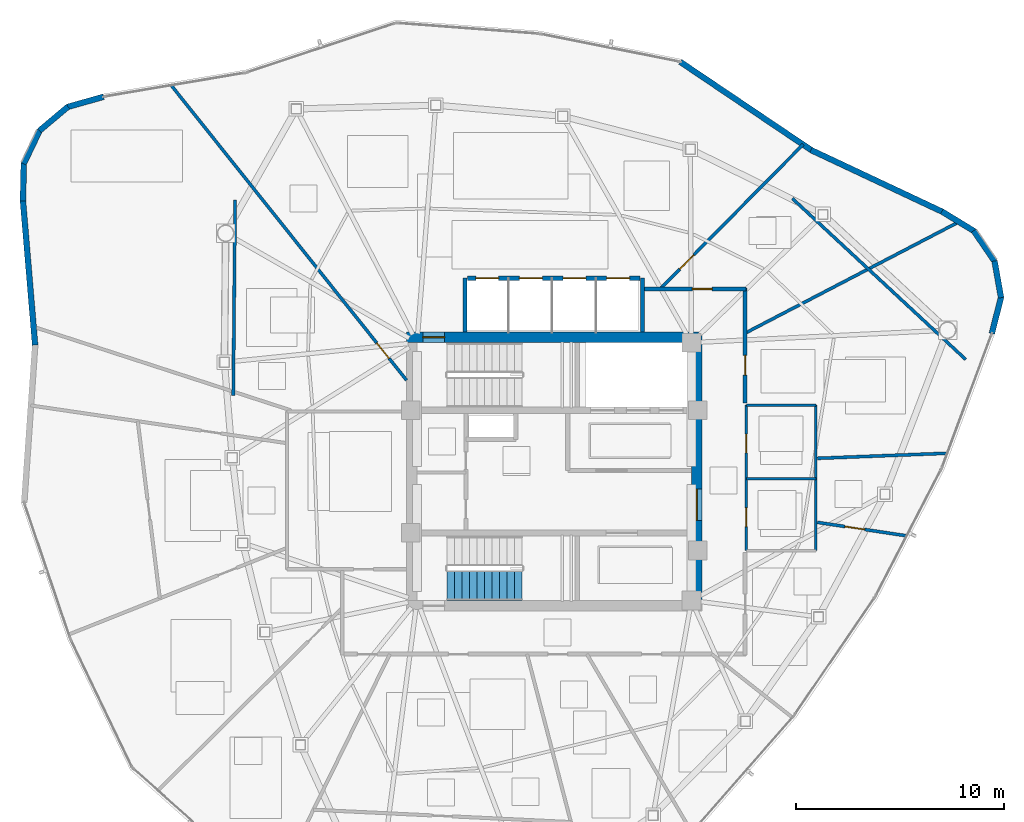
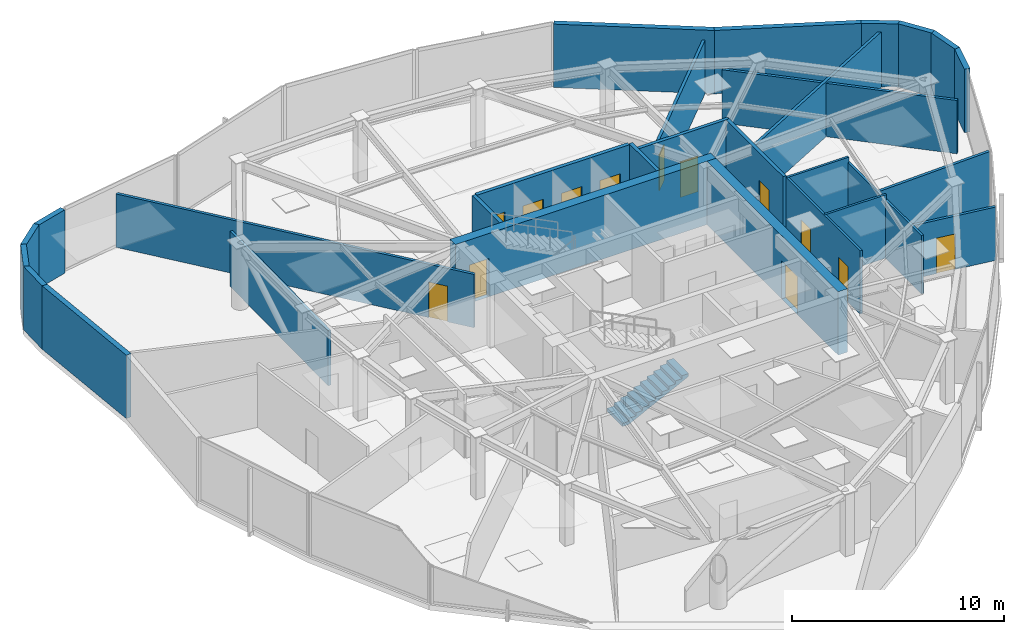
# One storey, part 9 of 13: 29 walls, 13 doors, 1 stair flight, 13 openings, 1 element without a shape of its own.
"""IFC4 building model written with IfcOpenShell, lengths in metres."""

import ifcopenshell
import ifcopenshell.guid

model = None  # the IFC model being written
_history = None  # IfcOwnerHistory: only IFC2X3 demands one
_inside = {}  # id of a spatial element -> (the spatial element, [elements in it])
_under = {}  # id of a project, library or spatial element -> (it, [spatial elements below it])
_declared = {}  # id of a project -> (the project, [libraries it declares])
_typed = {}  # id of a type object -> (the type object, [elements of that type])
_made_of = {}  # id of a material, layer set ... -> (it, [elements and type objects made of it])


def new_model(schema):
    """Start an empty IFC model of exactly this schema.

    Asked for "IFC4X3", IfcOpenShell would pick the latest addendum, in which some entities
    have other attributes; the version numbers below select the first issue.
    IFC2X3 requires an IfcOwnerHistory on every rooted entity: one is made here for all.
    """
    global model, _history
    if schema == "IFC4X3":
        model = ifcopenshell.file(schema_version=(4, 3, 0, 0))
    else:
        model = ifcopenshell.file(schema=schema)
    _inside.clear()
    _under.clear()
    _declared.clear()
    _typed.clear()
    _made_of.clear()
    _history = None
    if model.schema == "IFC2X3":
        org = make("IfcOrganization", Name="unknown")
        user = make(
            "IfcPersonAndOrganization",
            ThePerson=make("IfcPerson", FamilyName="unknown"),
            TheOrganization=org,
        )
        app = make(
            "IfcApplication",
            ApplicationDeveloper=org,
            Version="unknown",
            ApplicationFullName="unknown",
            ApplicationIdentifier="unknown",
        )
        _history = make(
            "IfcOwnerHistory",
            OwningUser=user,
            OwningApplication=app,
            ChangeAction="ADDED",
            CreationDate=0,
        )
    return model


def make(cls, **values):
    """One entity of the class cls with the attributes given. An attribute that is None is left unset."""
    return model.create_entity(
        cls, **{name: value for name, value in values.items() if value is not None}
    )


def rooted(cls, **values):
    """An entity with a GlobalId (a new one), such as an element, a storey or a relation."""
    return make(cls, GlobalId=ifcopenshell.guid.new(), OwnerHistory=_history, **values)


def si_unit(unit_type, name, prefix=None):
    """IfcSIUnit, for example si_unit("LENGTHUNIT", "METRE", prefix="MILLI")."""
    return make("IfcSIUnit", UnitType=unit_type, Prefix=prefix, Name=name)


def assignment(units):
    """IfcUnitAssignment: the units of a project."""
    return None if units is None else make("IfcUnitAssignment", Units=units)


def point(xyz):
    """IfcCartesianPoint."""
    return None if xyz is None else make("IfcCartesianPoint", Coordinates=xyz)


def direction(xyz):
    """IfcDirection."""
    return None if xyz is None else make("IfcDirection", DirectionRatios=xyz)


def frame(location, z_axis=None, x_axis=None):
    """IfcAxis2Placement3D, a coordinate frame: its origin and axes. An axis left out is left unset."""
    return make(
        "IfcAxis2Placement3D",
        Location=point(location),
        Axis=direction(z_axis),
        RefDirection=direction(x_axis),
    )


def frame_2d(location, x_axis=None):
    """IfcAxis2Placement2D, a coordinate frame in the plane: its origin and x axis."""
    return make(
        "IfcAxis2Placement2D", Location=point(location), RefDirection=direction(x_axis)
    )


def origin():
    """The frame at (0, 0, 0) with its axes left unset."""
    return frame((0.0, 0.0, 0.0))


def place(relative_to, where):
    """IfcLocalPlacement: puts the frame where relative to a parent placement (None: the world)."""
    return make(
        "IfcLocalPlacement", PlacementRelTo=relative_to, RelativePlacement=where
    )


def context(
    kind, dimensions, precision=None, world=None, true_north=None, identifier=None
):
    """IfcGeometricRepresentationContext, for example the 3D "Model" context."""
    return make(
        "IfcGeometricRepresentationContext",
        ContextIdentifier=identifier,
        ContextType=kind,
        CoordinateSpaceDimension=dimensions,
        Precision=precision,
        WorldCoordinateSystem=world,
        TrueNorth=true_north,
    )


def subcontext(parent, identifier, kind, view, scale=None):
    """IfcGeometricRepresentationSubContext, for example "Body" below "Model"."""
    return make(
        "IfcGeometricRepresentationSubContext",
        ContextIdentifier=identifier,
        ContextType=kind,
        ParentContext=parent,
        TargetScale=scale,
        TargetView=view,
    )


def project(units=None, contexts=None):
    """IfcProject with its units and contexts."""
    return rooted(
        "IfcProject",
        Name="project",
        RepresentationContexts=contexts,
        UnitsInContext=assignment(units),
    )


def spatial(cls, under=None, at=None, **own):
    """A site, building, storey or space (cls), placed at a placement, below another one or the project."""
    s = rooted(cls, ObjectPlacement=at, **own)
    if under is not None:
        _under.setdefault(under.id(), (under, []))[1].append(s)
    return s


def polyline(points):
    """IfcPolyline through the points."""
    return make("IfcPolyline", Points=[point(p) for p in points])


def profile(cls, at=None, kind="AREA", **sizes):
    """A parametric profile (cls). Its sizes go by their IFC names, for example OverallWidth=200.0."""
    return make(cls, ProfileType=kind, Position=at, **sizes)


def rectangle(**sizes):
    """IfcRectangleProfileDef."""
    return profile("IfcRectangleProfileDef", **sizes)


def outline(outer, holes=None, kind="AREA"):
    """IfcArbitraryClosedProfileDef: a profile drawn as a closed curve; with holes, ...WithVoids."""
    if holes is None:
        return make("IfcArbitraryClosedProfileDef", ProfileType=kind, OuterCurve=outer)
    return make(
        "IfcArbitraryProfileDefWithVoids",
        ProfileType=kind,
        OuterCurve=outer,
        InnerCurves=holes,
    )


def extrude(swept, where, along, depth):
    """IfcExtrudedAreaSolid: the profile swept, set in the frame where, extruded along a direction by depth."""
    return make(
        "IfcExtrudedAreaSolid",
        SweptArea=swept,
        Position=where,
        ExtrudedDirection=direction(along),
        Depth=depth,
    )


def shape(context_of_items, identifier, shape_type, items):
    """IfcShapeRepresentation: the items that make up one representation, for example the "Body"."""
    return make(
        "IfcShapeRepresentation",
        ContextOfItems=context_of_items,
        RepresentationIdentifier=identifier,
        RepresentationType=shape_type,
        Items=items,
    )


def material(Name=None, Category=None):
    """IfcMaterial."""
    return make("IfcMaterial", Name=Name, Category=Category)


def layer(
    of_material, thickness, ventilated=None, Name=None, Category=None, Priority=None
):
    """IfcMaterialLayer: one layer of a wall or slab, of a material (None: an air gap)."""
    return make(
        "IfcMaterialLayer",
        Material=of_material,
        LayerThickness=thickness,
        IsVentilated=ventilated,
        Name=Name,
        Category=Category,
        Priority=Priority,
    )


def layer_set(layers, Name=None):
    """IfcMaterialLayerSet."""
    return make("IfcMaterialLayerSet", MaterialLayers=layers, LayerSetName=Name)


def made_of(thing, what):
    """Note that an element or type object is made of a material, layer set ...; save() writes the relation."""
    if what is not None:
        _made_of.setdefault(what.id(), (what, []))[1].append(thing)
    return thing


def type_object(cls, material=None, **own):
    """A type object (cls), such as IfcWallType, which elements share."""
    return made_of(rooted(cls, **own), material)


def element(
    cls,
    number,
    at=None,
    inside=None,
    cuts=None,
    type_object=None,
    material=None,
    context=None,
    identifier="Body",
    shape_type=None,
    held_by="IfcProductDefinitionShape",
    body=None,
    shapes=None,
    **own,
):
    """One element of the class cls, such as IfcWall. Its Tag is "e" and its number.

    at: its placement. inside: the storey or other place that contains it. cuts: it is an
    opening in that element (IfcRelVoidsElement). A single representation is given by context,
    identifier, shape_type and body (its items); several are given by shapes. held_by: the class
    of the entity that holds the representations. save() writes the other relations.
    """
    e = rooted(cls, Tag="e%d" % number, ObjectPlacement=at, **own)
    if body is not None:
        shapes = [shape(context, identifier, shape_type, body)]
    if shapes is not None:
        e.Representation = make(held_by, Representations=shapes)
    if inside is not None:
        _inside.setdefault(inside.id(), (inside, []))[1].append(e)
    if cuts is not None:
        rooted(
            "IfcRelVoidsElement", RelatingBuildingElement=cuts, RelatedOpeningElement=e
        )
    if type_object is not None:
        _typed.setdefault(type_object.id(), (type_object, []))[1].append(e)
    return made_of(e, material)


def fill(opening, filler):
    """IfcRelFillsElement: the door or window that sits in an opening."""
    return rooted(
        "IfcRelFillsElement",
        RelatingOpeningElement=opening,
        RelatedBuildingElement=filler,
    )


def aggregate(whole, parts):
    """IfcRelAggregates: a whole, such as a stair, and the parts it consists of."""
    return rooted("IfcRelAggregates", RelatingObject=whole, RelatedObjects=parts)


def save(model, path):
    """Write the relations noted so far, then the file.

    IfcRelAggregates (storeys below a building ...), IfcRelContainedInSpatialStructure (elements
    in a storey), IfcRelDefinesByType, IfcRelAssociatesMaterial and IfcRelDeclares: one each for
    every whole, place, type object, material and project.
    """
    for whole, parts in _under.values():
        aggregate(whole, parts)
    for where, things in _inside.values():
        rooted(
            "IfcRelContainedInSpatialStructure",
            RelatedElements=things,
            RelatingStructure=where,
        )
    for kind, things in _typed.values():
        rooted("IfcRelDefinesByType", RelatedObjects=things, RelatingType=kind)
    for what, things in _made_of.values():
        rooted("IfcRelAssociatesMaterial", RelatedObjects=things, RelatingMaterial=what)
    for by, libraries in _declared.values():
        rooted("IfcRelDeclares", RelatingContext=by, RelatedDefinitions=libraries)
    model.write(path)


model = new_model("IFC4")

# Units and contexts
model_context = context("Model", 3, precision=1e-05, world=origin(), true_north=direction((0.0, 1.0)))
body_context = subcontext(model_context, "Body", "Model", "MODEL_VIEW")
ifc_project = project(units=[si_unit("LENGTHUNIT", "METRE"), si_unit("AREAUNIT", "SQUARE_METRE"), si_unit("VOLUMEUNIT", "CUBIC_METRE"), si_unit("PLANEANGLEUNIT", "RADIAN"), si_unit("MASSUNIT", "GRAM", prefix="KILO")], contexts=[model_context])

# Site, building, storey
site_placement = place(None, origin())
site = spatial("IfcSite", under=ifc_project, at=site_placement, CompositionType="ELEMENT")
building_placement = place(site_placement, origin())
building = spatial("IfcBuilding", under=site, at=building_placement, Name="Tavelor Broadcast Tower", CompositionType="ELEMENT")
storey_placement = place(building_placement, frame((0.0, 0.0, 261.64990234375)))
storey = spatial("IfcBuildingStorey", under=building, at=storey_placement, Name="L62", CompositionType="ELEMENT", Elevation=261.64990234375)

# Wall, opening, door
ifc_material_1 = material(Name="Concrete C50/60", Category="concrete")
ifc_layer_1 = layer(ifc_material_1, 0.5)
ifc_layer_set_1 = layer_set([ifc_layer_1], Name="Concrete C50/60")
wall_type_1 = type_object("IfcWallType", Name="Core Shear Wall 500 mm", PredefinedType="SHEAR", material=ifc_layer_set_1)
wall_1_placement = place(storey_placement, frame((42.89990234375, 51.449951171875, 0.0), z_axis=(0.0, 0.0, 1.0), x_axis=(1.0, 0.0, 0.0)))
wall_1 = element("IfcWall", 1, at=wall_1_placement, inside=storey, type_object=wall_type_1, Name="L62 Central Core Shear Wall N", PredefinedType="SHEAR", context=body_context, shape_type="SweptSolid", body=[
    extrude(rectangle(XDim=14.2001953125, YDim=0.5, at=frame_2d((7.10009765625, 0.0))), origin(), (0.0, 0.0, 1.0), 3.650146484375),
])
opening_1_placement = place(wall_1_placement, frame((0.780029296875, 0.0, 0.0)))
opening_1 = element("IfcOpeningElement", 2, at=opening_1_placement, cuts=wall_1, Name="Opening DR11", PredefinedType="OPENING", context=body_context, shape_type="SweptSolid", body=[
    extrude(rectangle(XDim=1.050048828125, YDim=2.199951171875, at=frame_2d((0.52490234375, 1.10009765625))), frame((0.0, 0.260009765625, 0.0), z_axis=(0.0, -1.0, 0.0), x_axis=(1.0, 0.0, 0.0)), (0.0, 0.0, 1.0), 0.52001953125),
])
ifc_material_2 = material(Name="Steel S355", Category="steel")
door_type_1 = type_object("IfcDoorType", Name="Stair Core Fire Escape Door 1050x2200", OperationType="NOTDEFINED", PredefinedType="DOOR", material=ifc_material_2)
door_1_placement = place(opening_1_placement, origin())
door_1 = element("IfcDoor", 3, at=door_1_placement, inside=storey, type_object=door_type_1, Name="L62 Stair ST1 Protected Exit Door", OperationType="SINGLE_SWING_LEFT", OverallHeight=2.199951171875, OverallWidth=1.050048828125, PredefinedType="DOOR", context=body_context, shape_type="SweptSolid", body=[
    extrude(rectangle(XDim=1.050048828125, YDim=2.199951171875, at=frame_2d((0.52490234375, 1.10009765625))), frame((0.0, 0.02490234375, 0.0), z_axis=(0.0, -1.0, 0.0), x_axis=(1.0, 0.0, 0.0)), (0.0, 0.0, 1.0), 0.050048828125),
])
fill(opening_1, door_1)

wall_2_placement = place(storey_placement, frame((56.85009765625, 38.800048828125, 0.0), z_axis=(0.0, 0.0, 1.0), x_axis=(0.0, 1.0, 0.0)))
wall_2 = element("IfcWall", 4, at=wall_2_placement, inside=storey, type_object=wall_type_1, Name="L62 Central Core Shear Wall E", PredefinedType="SHEAR", context=body_context, shape_type="SweptSolid", body=[
    extrude(rectangle(XDim=12.39990234375, YDim=0.5, at=frame_2d((6.199951171875, 0.0))), origin(), (0.0, 0.0, 1.0), 3.650146484375),
])
opening_2_placement = place(wall_2_placement, frame((3.85009765625, 0.0, 0.0)))
opening_2 = element("IfcOpeningElement", 5, at=opening_2_placement, cuts=wall_2, Name="Opening DR14", PredefinedType="OPENING", context=body_context, shape_type="SweptSolid", body=[
    extrude(rectangle(XDim=1.5, YDim=2.199951171875, at=frame_2d((0.75, 1.10009765625))), frame((0.0, 0.260009765625, 0.0), z_axis=(0.0, -1.0, 0.0), x_axis=(1.0, 0.0, 0.0)), (0.0, 0.0, 1.0), 0.52001953125),
])
door_type_2 = type_object("IfcDoorType", Name="Firefighting Lobby Double Fire Door 1500x2200", OperationType="NOTDEFINED", PredefinedType="DOOR", material=ifc_material_2)
door_2_placement = place(opening_2_placement, origin())
door_2 = element("IfcDoor", 6, at=door_2_placement, inside=storey, type_object=door_type_2, Name="L62 Central Core Lobby Fire Door", OperationType="SINGLE_SWING_RIGHT", OverallHeight=2.199951171875, OverallWidth=1.5, PredefinedType="DOOR", context=body_context, shape_type="SweptSolid", body=[
    extrude(rectangle(XDim=1.5, YDim=2.199951171875, at=frame_2d((0.75, 1.10009765625))), frame((0.0, 0.02490234375, 0.0), z_axis=(0.0, -1.0, 0.0), x_axis=(1.0, 0.0, 0.0)), (0.0, 0.0, 1.0), 0.050048828125),
])
fill(opening_2, door_2)

ifc_material_3 = material(Name="Calcium Silicate Fire Board 180 mm", Category="gypsum")
ifc_layer_2 = layer(ifc_material_3, 0.179931640625)
ifc_layer_set_2 = layer_set([ifc_layer_2], Name="Calcium Silicate Fire Board 180 mm")
wall_type_2 = type_object("IfcWallType", Name="Fire-Rated Corridor Partition Wall 180 mm", PredefinedType="PARTITIONING", material=ifc_layer_set_2)
wall_3_placement = place(storey_placement, frame((54.300048828125, 53.780029296875, 0.0), z_axis=(0.0, 0.0, 1.0), x_axis=(1.0, 0.0, 0.0)))
wall_3 = element("IfcWall", 7, at=wall_3_placement, inside=storey, type_object=wall_type_2, Name="L62 Corridor Compartment Wall 01", PredefinedType="PARTITIONING", context=body_context, shape_type="SweptSolid", body=[
    extrude(rectangle(XDim=4.929931640625, YDim=0.179931640625, at=frame_2d((2.46484375, 0.0))), origin(), (0.0, 0.0, 1.0), 3.650146484375),
])
opening_3_placement = place(wall_3_placement, frame((2.3388671875, 0.0, 0.0)))
opening_3 = element("IfcOpeningElement", 8, at=opening_3_placement, cuts=wall_3, Name="Opening DR18", PredefinedType="OPENING", context=body_context, shape_type="SweptSolid", body=[
    extrude(rectangle(XDim=0.949951171875, YDim=2.050048828125, at=frame_2d((0.47509765625, 1.02490234375))), frame((0.0, 0.10009765625, 0.0), z_axis=(0.0, -1.0, 0.0), x_axis=(1.0, 0.0, 0.0)), (0.0, 0.0, 1.0), 0.199951171875),
])
ifc_material_4 = material(Name="Timber Solid Core Hardwood", Category="wood")
door_type_3 = type_object("IfcDoorType", Name="Corridor Rated Compartment Door 950x2050", OperationType="NOTDEFINED", PredefinedType="DOOR", material=ifc_material_4)
door_3_placement = place(opening_3_placement, origin())
door_3 = element("IfcDoor", 9, at=door_3_placement, inside=storey, type_object=door_type_3, Name="L62 Catering Server Pantry Door R11", OperationType="SINGLE_SWING_RIGHT", OverallHeight=2.050048828125, OverallWidth=0.949951171875, PredefinedType="DOOR", context=body_context, shape_type="SweptSolid", body=[
    extrude(rectangle(XDim=0.949951171875, YDim=2.050048828125, at=frame_2d((0.47509765625, 1.02490234375))), frame((0.0, 0.02490234375, 0.0), z_axis=(0.0, -1.0, 0.0), x_axis=(1.0, 0.0, 0.0)), (0.0, 0.0, 1.0), 0.050048828125),
])
fill(opening_3, door_3)

wall_4_placement = place(storey_placement, frame((59.179931640625, 53.830078125, 0.0), z_axis=(0.0, 0.0, 1.0), x_axis=(0.0, -1.0, 0.0)))
wall_4 = element("IfcWall", 10, at=wall_4_placement, inside=storey, type_object=wall_type_2, Name="L62 Corridor Compartment Wall 02", PredefinedType="PARTITIONING", context=body_context, shape_type="SweptSolid", body=[
    extrude(rectangle(XDim=5.530029296875, YDim=0.179931640625, at=frame_2d((2.76513671875, 0.0))), origin(), (0.0, 0.0, 1.0), 3.650146484375),
])
opening_4_placement = place(wall_4_placement, frame((3.237548828125, 0.0, 0.0)))
opening_4 = element("IfcOpeningElement", 11, at=opening_4_placement, cuts=wall_4, Name="Opening DR18", PredefinedType="OPENING", context=body_context, shape_type="SweptSolid", body=[
    extrude(rectangle(XDim=0.949951171875, YDim=2.050048828125, at=frame_2d((0.47509765625, 1.02490234375))), frame((0.0, 0.10009765625, 0.0), z_axis=(0.0, -1.0, 0.0), x_axis=(1.0, 0.0, 0.0)), (0.0, 0.0, 1.0), 0.199951171875),
])
door_4_placement = place(opening_4_placement, origin())
door_4 = element("IfcDoor", 12, at=door_4_placement, inside=storey, type_object=door_type_3, Name="L62 Press Concierge Desk Door R12", OperationType="SINGLE_SWING_LEFT", OverallHeight=2.050048828125, OverallWidth=0.949951171875, PredefinedType="DOOR", context=body_context, shape_type="SweptSolid", body=[
    extrude(rectangle(XDim=0.949951171875, YDim=2.050048828125, at=frame_2d((0.47509765625, 1.02490234375))), frame((0.0, 0.02490234375, 0.0), z_axis=(0.0, -1.0, 0.0), x_axis=(1.0, 0.0, 0.0)), (0.0, 0.0, 1.0), 0.050048828125),
])
fill(opening_4, door_4)

# Walls
ifc_material_5 = material(Name="Precast Concrete C40/50", Category="concrete")
ifc_layer_3 = layer(ifc_material_5, 0.280029296875)
ifc_layer_set_3 = layer_set([ifc_layer_3], Name="Precast Concrete C40/50")
wall_type_3 = type_object("IfcWallType", Name="Insulated Precast Terracotta Facade Wall 280 mm", PredefinedType="STANDARD", material=ifc_layer_set_3)
wall_5_placement = place(storey_placement, frame((28.32861328125, 63.0263671875, 0.0), z_axis=(0.0, 0.0, 1.0), x_axis=(-0.962471391601, -0.271383161506, 0.0)))
element("IfcWall", 13, at=wall_5_placement, inside=storey, type_object=wall_type_3, Name="L62 Rounded Corner Structural Cladding Pier 01", PredefinedType="STANDARD", context=body_context, shape_type="SweptSolid", body=[
    extrude(rectangle(XDim=1.807373046875, YDim=0.280029296875, at=frame_2d((0.90380859375, 0.0))), origin(), (0.0, 0.0, 1.0), 3.650146484375),
])
wall_6_placement = place(storey_placement, frame((26.614990234375, 62.549560546875, 0.0), z_axis=(0.0, 0.0, 1.0), x_axis=(-0.765461031338, -0.643482252672, 0.0)))
element("IfcWall", 14, at=wall_6_placement, inside=storey, type_object=wall_type_3, Name="L62 Rounded Corner Structural Cladding Pier 02", PredefinedType="STANDARD", context=body_context, shape_type="SweptSolid", body=[
    extrude(rectangle(XDim=1.79541015625, YDim=0.280029296875, at=frame_2d((0.897705078125, 0.0))), origin(), (0.0, 0.0, 1.0), 3.650146484375),
])
wall_7_placement = place(storey_placement, frame((25.2587890625, 61.41748046875, 0.0), z_axis=(0.0, 0.0, 1.0), x_axis=(-0.432907864888, -0.901438173431, 0.0)))
element("IfcWall", 15, at=wall_7_placement, inside=storey, type_object=wall_type_3, Name="L62 Rounded Corner Structural Cladding Pier 03", PredefinedType="STANDARD", context=body_context, shape_type="SweptSolid", body=[
    extrude(rectangle(XDim=1.795654296875, YDim=0.280029296875, at=frame_2d((0.89794921875, 0.0))), origin(), (0.0, 0.0, 1.0), 3.650146484375),
])
wall_8_placement = place(storey_placement, frame((24.48828125, 59.827392578125, 0.0), z_axis=(0.0, 0.0, 1.0), x_axis=(-0.023502372608, -0.999723781092, 0.0)))
element("IfcWall", 16, at=wall_8_placement, inside=storey, type_object=wall_type_3, Name="L62 Rounded Corner Structural Cladding Pier 04", PredefinedType="STANDARD", context=body_context, shape_type="SweptSolid", body=[
    extrude(rectangle(XDim=1.81787109375, YDim=0.280029296875, at=frame_2d((0.908935546875, 0.0))), origin(), (0.0, 0.0, 1.0), 3.650146484375),
])
wall_9_placement = place(storey_placement, frame((24.444580078125, 58.039794921875, 0.0), z_axis=(0.0, 0.0, 1.0), x_axis=(0.084087104255, -0.996458408012, 0.0)))
element("IfcWall", 17, at=wall_9_placement, inside=storey, type_object=wall_type_3, Name="L62 Rounded Corner Structural Cladding Pier 05", PredefinedType="STANDARD", context=body_context, shape_type="SweptSolid", body=[
    extrude(rectangle(XDim=6.982666015625, YDim=0.280029296875, at=frame_2d((3.4912109375, 0.0))), origin(), (0.0, 0.0, 1.0), 3.650146484375),
])
wall_10_placement = place(storey_placement, frame((71.047119140625, 51.63720703125, 0.0), z_axis=(0.0, 0.0, 1.0), x_axis=(0.246157875262, 0.969229745956, 0.0)))
element("IfcWall", 18, at=wall_10_placement, inside=storey, type_object=wall_type_3, Name="L62 Rounded Corner Structural Cladding Pier 21", PredefinedType="STANDARD", context=body_context, shape_type="SweptSolid", body=[
    extrude(rectangle(XDim=1.80712890625, YDim=0.280029296875, at=frame_2d((0.903564453125, 0.0))), origin(), (0.0, 0.0, 1.0), 3.650146484375),
])
for number, where, z_axis, x_axis, name in (
    (19, (71.49072265625, 53.359375, 0.0), (0.0, 0.0, 1.0), (-0.174444594001, 0.984666991233, 0.0), "L62 Rounded Corner Structural Cladding Pier 22"),
    (20, (71.188720703125, 55.10009765625, 0.0), (0.0, 0.0, 1.0), (-0.564264652736, 0.825593969015, 0.0), "L62 Rounded Corner Structural Cladding Pier 23"),
):
    element("IfcWall", number, at=place(storey_placement, frame(where, z_axis=z_axis, x_axis=x_axis)), inside=storey, type_object=wall_type_3, Name=name, PredefinedType="STANDARD", context=body_context, shape_type="SweptSolid", body=[
        extrude(rectangle(XDim=1.795654296875, YDim=0.280029296875, at=frame_2d((0.89794921875, 0.0))), origin(), (0.0, 0.0, 1.0), 3.650146484375),
    ])
wall_11_placement = place(storey_placement, frame((70.19677734375, 56.562255859375, 0.0), z_axis=(0.0, 0.0, 1.0), x_axis=(-0.853978085487, 0.520308975041, 0.0)))
element("IfcWall", 21, at=wall_11_placement, inside=storey, type_object=wall_type_3, Name="L62 Rounded Corner Structural Cladding Pier 24", PredefinedType="STANDARD", context=body_context, shape_type="SweptSolid", body=[
    extrude(rectangle(XDim=1.818115234375, YDim=0.280029296875, at=frame_2d((0.9091796875, 0.0))), origin(), (0.0, 0.0, 1.0), 3.650146484375),
])
wall_12_placement = place(storey_placement, frame((68.67041015625, 57.493896484375, 0.0), z_axis=(0.0, 0.0, 1.0), x_axis=(-0.904983452417, 0.425446766179, 0.0)))
element("IfcWall", 22, at=wall_12_placement, inside=storey, type_object=wall_type_3, Name="L62 Rounded Corner Structural Cladding Pier 25", PredefinedType="STANDARD", context=body_context, shape_type="SweptSolid", body=[
    extrude(rectangle(XDim=6.982666015625, YDim=0.280029296875, at=frame_2d((3.4912109375, 0.0))), origin(), (0.0, 0.0, 1.0), 3.650146484375),
])
wall_13_placement = place(storey_placement, frame((62.377197265625, 60.44970703125, 0.0), z_axis=(0.0, 0.0, 1.0), x_axis=(-0.829407525921, 0.558644033304, 0.0)))
element("IfcWall", 23, at=wall_13_placement, inside=storey, type_object=wall_type_3, Name="L62 Rounded Corner Structural Cladding Pier 26", PredefinedType="STANDARD", context=body_context, shape_type="SweptSolid", body=[
    extrude(rectangle(XDim=7.616455078125, YDim=0.280029296875, at=frame_2d((3.80810546875, 0.0))), origin(), (0.0, 0.0, 1.0), 3.650146484375),
])
ifc_material_6 = material(Name="Gypsum Acoustic Plasterboard 150 mm", Category="gypsum")
ifc_layer_4 = layer(ifc_material_6, 0.14990234375)
ifc_layer_set_4 = layer_set([ifc_layer_4], Name="Gypsum Acoustic Plasterboard 150 mm")
wall_type_4 = type_object("IfcWallType", Name="Interior Acoustic Partition Wall 150 mm", PredefinedType="PARTITIONING", material=ifc_layer_set_4)
wall_14_placement = place(storey_placement, frame((34.651611328125, 58.0556640625, 0.0), z_axis=(0.0, 0.0, 1.0), x_axis=(-0.009553538759, -0.999954363907, 0.0)))
element("IfcWall", 24, at=wall_14_placement, inside=storey, type_object=wall_type_4, Name="L62 Corner Tube Brace Furring Wall 1", PredefinedType="PARTITIONING", context=body_context, shape_type="SweptSolid", body=[
    extrude(rectangle(XDim=9.404296875, YDim=0.14990234375, at=frame_2d((4.7021484375, 0.0))), origin(), (0.0, 0.0, 1.0), 3.175048828125),
])
wall_15_placement = place(storey_placement, frame((69.79248046875, 50.387939453125, 0.0), z_axis=(0.0, 0.0, 1.0), x_axis=(-0.732769799181, 0.680476613418, 0.0)))
element("IfcWall", 25, at=wall_15_placement, inside=storey, type_object=wall_type_4, Name="L62 Corner Tube Brace Furring Wall 3", PredefinedType="PARTITIONING", context=body_context, shape_type="SweptSolid", body=[
    extrude(rectangle(XDim=11.377685546875, YDim=0.14990234375, at=frame_2d((5.68896484375, 0.0))), origin(), (0.0, 0.0, 1.0), 3.0751953125),
])

# Wall, opening, door
wall_16_placement = place(storey_placement, frame((42.89990234375, 49.386474609375, 0.0), z_axis=(0.0, 0.0, 1.0), x_axis=(-0.623702774592, 0.781661594916, 0.0)))
wall_16 = element("IfcWall", 26, at=wall_16_placement, inside=storey, type_object=wall_type_4, Name="L62 Radial Compartment Wall 01", PredefinedType="PARTITIONING", context=body_context, shape_type="SweptSolid", body=[
    extrude(rectangle(XDim=18.162353515625, YDim=0.14990234375, at=frame_2d((9.0810546875, 0.0))), origin(), (0.0, 0.0, 1.0), 3.0751953125),
])
opening_5_placement = place(wall_16_placement, frame((1.35009765625, 0.0, 0.0)))
opening_5 = element("IfcOpeningElement", 27, at=opening_5_placement, cuts=wall_16, Name="Opening DR18", PredefinedType="OPENING", context=body_context, shape_type="SweptSolid", body=[
    extrude(rectangle(XDim=0.949951171875, YDim=2.050048828125, at=frame_2d((0.47509765625, 1.02490234375))), frame((0.0, 0.0849609375, 0.0), z_axis=(0.0, -1.0, 0.0), x_axis=(1.0, 0.0, 0.0)), (0.0, 0.0, 1.0), 0.169921875),
])
door_5_placement = place(opening_5_placement, origin())
door_5 = element("IfcDoor", 28, at=door_5_placement, inside=storey, type_object=door_type_3, Name="L62 Suite Connecting Door 9", OperationType="SINGLE_SWING_RIGHT", OverallHeight=2.050048828125, OverallWidth=0.949951171875, PredefinedType="DOOR", context=body_context, shape_type="SweptSolid", body=[
    extrude(rectangle(XDim=0.949951171875, YDim=2.050048828125, at=frame_2d((0.47509765625, 1.02490234375))), frame((0.0, 0.02490234375, 0.0), z_axis=(0.0, -1.0, 0.0), x_axis=(1.0, 0.0, 0.0)), (0.0, 0.0, 1.0), 0.050048828125),
])
fill(opening_5, door_5)

wall_17_placement = place(storey_placement, frame((62.64990234375, 42.555419921875, 0.0), z_axis=(0.0, 0.0, 1.0), x_axis=(0.988865221413, -0.148813890075, 0.0)))
wall_17 = element("IfcWall", 29, at=wall_17_placement, inside=storey, type_object=wall_type_4, Name="L62 Radial Compartment Wall 10", PredefinedType="PARTITIONING", context=body_context, shape_type="SweptSolid", body=[
    extrude(rectangle(XDim=4.3623046875, YDim=0.14990234375, at=frame_2d((2.18115234375, 0.0))), origin(), (0.0, 0.0, 1.0), 3.0751953125),
])
opening_6_placement = place(wall_17_placement, frame((1.35009765625, 0.0, 0.0)))
opening_6 = element("IfcOpeningElement", 30, at=opening_6_placement, cuts=wall_17, Name="Opening DR18", PredefinedType="OPENING", context=body_context, shape_type="SweptSolid", body=[
    extrude(rectangle(XDim=0.949951171875, YDim=2.050048828125, at=frame_2d((0.47509765625, 1.02490234375))), frame((0.0, 0.0849609375, 0.0), z_axis=(0.0, -1.0, 0.0), x_axis=(1.0, 0.0, 0.0)), (0.0, 0.0, 1.0), 0.169921875),
])
door_6_placement = place(opening_6_placement, origin())
door_6 = element("IfcDoor", 31, at=door_6_placement, inside=storey, type_object=door_type_3, Name="L62 Suite Connecting Door 0", OperationType="SINGLE_SWING_RIGHT", OverallHeight=2.050048828125, OverallWidth=0.949951171875, PredefinedType="DOOR", context=body_context, shape_type="SweptSolid", body=[
    extrude(rectangle(XDim=0.949951171875, YDim=2.050048828125, at=frame_2d((0.47509765625, 1.02490234375))), frame((0.0, 0.02490234375, 0.0), z_axis=(0.0, -1.0, 0.0), x_axis=(1.0, 0.0, 0.0)), (0.0, 0.0, 1.0), 0.050048828125),
])
fill(opening_6, door_6)

# Walls
wall_18_placement = place(storey_placement, frame((62.64990234375, 45.634521484375, 0.0), z_axis=(0.0, 0.0, 1.0), x_axis=(0.999238098705, 0.039028478011, 0.0)))
element("IfcWall", 32, at=wall_18_placement, inside=storey, type_object=wall_type_4, Name="L62 Radial Compartment Wall 11", PredefinedType="PARTITIONING", context=body_context, shape_type="SweptSolid", body=[
    extrude(rectangle(XDim=6.26806640625, YDim=0.14990234375, at=frame_2d((3.134033203125, 0.0))), origin(), (0.0, 0.0, 1.0), 3.175048828125),
])
wall_19_placement = place(storey_placement, frame((59.179931640625, 51.65380859375, 0.0), z_axis=(0.0, 0.0, 1.0), x_axis=(0.886978708339, 0.461810319237, 0.0)))
element("IfcWall", 33, at=wall_19_placement, inside=storey, type_object=wall_type_4, Name="L62 Radial Compartment Wall 12", PredefinedType="PARTITIONING", context=body_context, shape_type="SweptSolid", body=[
    extrude(rectangle(XDim=11.606689453125, YDim=0.14990234375, at=frame_2d((5.80322265625, 0.0))), origin(), (0.0, 0.0, 1.0), 3.175048828125),
])

# Wall, opening, door
wall_20_placement = place(storey_placement, frame((55.0908203125, 53.780029296875, 0.0), z_axis=(0.0, 0.0, 1.0), x_axis=(0.703479316765, 0.710715731417, 0.0)))
wall_20 = element("IfcWall", 34, at=wall_20_placement, inside=storey, type_object=wall_type_4, Name="L62 Radial Compartment Wall 13", PredefinedType="PARTITIONING", context=body_context, shape_type="SweptSolid", body=[
    extrude(rectangle(XDim=9.783935546875, YDim=0.14990234375, at=frame_2d((4.89208984375, 0.0))), origin(), (0.0, 0.0, 1.0), 3.0751953125),
])
opening_7_placement = place(wall_20_placement, frame((1.35009765625, 0.0, 0.0)))
opening_7 = element("IfcOpeningElement", 35, at=opening_7_placement, cuts=wall_20, Name="Opening DR18", PredefinedType="OPENING", context=body_context, shape_type="SweptSolid", body=[
    extrude(rectangle(XDim=0.949951171875, YDim=2.050048828125, at=frame_2d((0.47509765625, 1.02490234375))), frame((0.0, 0.0849609375, 0.0), z_axis=(0.0, -1.0, 0.0), x_axis=(1.0, 0.0, 0.0)), (0.0, 0.0, 1.0), 0.169921875),
])
door_7_placement = place(opening_7_placement, origin())
door_7 = element("IfcDoor", 36, at=door_7_placement, inside=storey, type_object=door_type_3, Name="L62 Suite Connecting Door 10", OperationType="SINGLE_SWING_LEFT", OverallHeight=2.050048828125, OverallWidth=0.949951171875, PredefinedType="DOOR", context=body_context, shape_type="SweptSolid", body=[
    extrude(rectangle(XDim=0.949951171875, YDim=2.050048828125, at=frame_2d((0.47509765625, 1.02490234375))), frame((0.0, 0.02490234375, 0.0), z_axis=(0.0, -1.0, 0.0), x_axis=(1.0, 0.0, 0.0)), (0.0, 0.0, 1.0), 0.050048828125),
])
fill(opening_7, door_7)

# Wall, openings, doors
ifc_material_7 = material(Name="Concrete Blockwork 200 mm", Category="masonry")
ifc_layer_5 = layer(ifc_material_7, 0.199951171875)
ifc_layer_set_5 = layer_set([ifc_layer_5], Name="Concrete Blockwork 200 mm")
wall_type_5 = type_object("IfcWallType", Name="Lift Hoistway Rated Front Wall 200 mm", PredefinedType="PARTITIONING", material=ifc_layer_set_5)
wall_21_placement = place(storey_placement, frame((45.820068359375, 54.300048828125, 0.0), z_axis=(0.0, 0.0, 1.0), x_axis=(1.0, 0.0, 0.0)))
wall_21 = element("IfcWall", 37, at=wall_21_placement, inside=storey, type_object=wall_type_5, Name="L62 High-Rise Lift Hoistway Front Wall", PredefinedType="PARTITIONING", context=body_context, shape_type="SweptSolid", body=[
    extrude(rectangle(XDim=8.309814453125, YDim=0.199951171875, at=frame_2d((4.15478515625, 0.0))), origin(), (0.0, 0.0, 1.0), 3.650146484375),
])
opening_8_placement = place(wall_21_placement, frame((0.405029296875, 0.0, 0.0)))
opening_8 = element("IfcOpeningElement", 38, at=opening_8_placement, cuts=wall_21, Name="Opening LD01", PredefinedType="OPENING", context=body_context, shape_type="SweptSolid", body=[
    extrude(rectangle(XDim=1.10009765625, YDim=2.14990234375, at=frame_2d((0.550048828125, 1.074951171875))), frame((0.0, 0.10986328125, 0.0), z_axis=(0.0, -1.0, 0.0), x_axis=(1.0, 0.0, 0.0)), (0.0, 0.0, 1.0), 0.219970703125),
])
opening_9_placement = place(wall_21_placement, frame((2.5048828125, 0.0, 0.0)))
opening_9 = element("IfcOpeningElement", 39, at=opening_9_placement, cuts=wall_21, Name="Opening LD01", PredefinedType="OPENING", context=body_context, shape_type="SweptSolid", body=[
    extrude(rectangle(XDim=1.10009765625, YDim=2.14990234375, at=frame_2d((0.550048828125, 1.074951171875))), frame((0.0, 0.10986328125, 0.0), z_axis=(0.0, -1.0, 0.0), x_axis=(1.0, 0.0, 0.0)), (0.0, 0.0, 1.0), 0.219970703125),
])
opening_10_placement = place(wall_21_placement, frame((4.60498046875, 0.0, 0.0)))
opening_10 = element("IfcOpeningElement", 40, at=opening_10_placement, cuts=wall_21, Name="Opening LD01", PredefinedType="OPENING", context=body_context, shape_type="SweptSolid", body=[
    extrude(rectangle(XDim=1.10009765625, YDim=2.14990234375, at=frame_2d((0.550048828125, 1.074951171875))), frame((0.0, 0.10986328125, 0.0), z_axis=(0.0, -1.0, 0.0), x_axis=(1.0, 0.0, 0.0)), (0.0, 0.0, 1.0), 0.219970703125),
])
opening_11_placement = place(wall_21_placement, frame((6.705078125, 0.0, 0.0)))
opening_11 = element("IfcOpeningElement", 41, at=opening_11_placement, cuts=wall_21, Name="Opening LD01", PredefinedType="OPENING", context=body_context, shape_type="SweptSolid", body=[
    extrude(rectangle(XDim=1.10009765625, YDim=2.14990234375, at=frame_2d((0.550048828125, 1.074951171875))), frame((0.0, 0.10986328125, 0.0), z_axis=(0.0, -1.0, 0.0), x_axis=(1.0, 0.0, 0.0)), (0.0, 0.0, 1.0), 0.219970703125),
])
ifc_material_8 = material(Name="Brushed Stainless Steel", Category="steel")
door_type_4 = type_object("IfcDoorType", Name="Passenger Lift Sliding Landing Door 1100x2150", OperationType="NOTDEFINED", PredefinedType="DOOR", material=ifc_material_8)
door_8_placement = place(opening_8_placement, origin())
door_8 = element("IfcDoor", 42, at=door_8_placement, inside=storey, type_object=door_type_4, Name="L62 Lift PLH1 Sliding Landing Door", OperationType="SLIDING_TO_LEFT", OverallHeight=2.14990234375, OverallWidth=1.10009765625, PredefinedType="DOOR", context=body_context, shape_type="SweptSolid", body=[
    extrude(rectangle(XDim=1.10009765625, YDim=2.14990234375, at=frame_2d((0.550048828125, 1.074951171875))), frame((0.0, 0.02490234375, 0.0), z_axis=(0.0, -1.0, 0.0), x_axis=(1.0, 0.0, 0.0)), (0.0, 0.0, 1.0), 0.050048828125),
])
fill(opening_8, door_8)
door_9_placement = place(opening_9_placement, origin())
door_9 = element("IfcDoor", 43, at=door_9_placement, inside=storey, type_object=door_type_4, Name="L62 Lift PLH2 Sliding Landing Door", OperationType="SLIDING_TO_RIGHT", OverallHeight=2.14990234375, OverallWidth=1.10009765625, PredefinedType="DOOR", context=body_context, shape_type="SweptSolid", body=[
    extrude(rectangle(XDim=1.10009765625, YDim=2.14990234375, at=frame_2d((0.550048828125, 1.074951171875))), frame((0.0, 0.02490234375, 0.0), z_axis=(0.0, -1.0, 0.0), x_axis=(1.0, 0.0, 0.0)), (0.0, 0.0, 1.0), 0.050048828125),
])
fill(opening_9, door_9)
door_10_placement = place(opening_10_placement, origin())
door_10 = element("IfcDoor", 44, at=door_10_placement, inside=storey, type_object=door_type_4, Name="L62 Lift PLH3 Sliding Landing Door", OperationType="SLIDING_TO_LEFT", OverallHeight=2.14990234375, OverallWidth=1.10009765625, PredefinedType="DOOR", context=body_context, shape_type="SweptSolid", body=[
    extrude(rectangle(XDim=1.10009765625, YDim=2.14990234375, at=frame_2d((0.550048828125, 1.074951171875))), frame((0.0, 0.02490234375, 0.0), z_axis=(0.0, -1.0, 0.0), x_axis=(1.0, 0.0, 0.0)), (0.0, 0.0, 1.0), 0.050048828125),
])
fill(opening_10, door_10)
door_11_placement = place(opening_11_placement, origin())
door_11 = element("IfcDoor", 45, at=door_11_placement, inside=storey, type_object=door_type_4, Name="L62 Lift PLH4 Sliding Landing Door", OperationType="SLIDING_TO_RIGHT", OverallHeight=2.14990234375, OverallWidth=1.10009765625, PredefinedType="DOOR", context=body_context, shape_type="SweptSolid", body=[
    extrude(rectangle(XDim=1.10009765625, YDim=2.14990234375, at=frame_2d((0.550048828125, 1.074951171875))), frame((0.0, 0.02490234375, 0.0), z_axis=(0.0, -1.0, 0.0), x_axis=(1.0, 0.0, 0.0)), (0.0, 0.0, 1.0), 0.050048828125),
])
fill(opening_11, door_11)

# Walls
ifc_layer_6 = layer(ifc_material_7, 0.199951171875)
ifc_layer_set_6 = layer_set([ifc_layer_6], Name="Concrete Blockwork 200 mm")
wall_type_6 = type_object("IfcWallType", Name="Lift and Riser Shaft Enclosure Wall 200 mm", PredefinedType="PARTITIONING", material=ifc_layer_set_6)
for number, where, z_axis, x_axis, name in (
    (46, (45.699951171875, 51.699951171875, 0.0), (0.0, 0.0, 1.0), (0.0, 1.0, 0.0), "L62 High-Rise Lift Shaft West Wall"),
    (47, (54.25, 51.699951171875, 0.0), (0.0, 0.0, 1.0), (0.0, 1.0, 0.0), "L62 High-Rise Lift Shaft East Wall"),
):
    element("IfcWall", number, at=place(storey_placement, frame(where, z_axis=z_axis, x_axis=x_axis)), inside=storey, type_object=wall_type_6, Name=name, PredefinedType="PARTITIONING", context=body_context, shape_type="SweptSolid", body=[
        extrude(rectangle(XDim=2.60009765625, YDim=0.199951171875, at=frame_2d((1.300048828125, 0.0))), origin(), (0.0, 0.0, 1.0), 3.650146484375),
    ])

# Wall, openings, doors
ifc_material_9 = material(Name="Moisture-Resistant Plasterboard 120 mm", Category="gypsum")
ifc_layer_7 = layer(ifc_material_9, 0.1201171875)
ifc_layer_set_7 = layer_set([ifc_layer_7], Name="Moisture-Resistant Plasterboard 120 mm")
wall_type_7 = type_object("IfcWallType", Name="Moisture-Resistant Wet-Room Partition 120 mm", PredefinedType="PARTITIONING", material=ifc_layer_set_7)
wall_22_placement = place(storey_placement, frame((59.239990234375, 41.199951171875, 0.0), z_axis=(0.0, 0.0, 1.0), x_axis=(0.0, 1.0, 0.0)))
wall_22 = element("IfcWall", 48, at=wall_22_placement, inside=storey, type_object=wall_type_7, Name="L62 Floor Washrooms West Wall", PredefinedType="PARTITIONING", context=body_context, shape_type="SweptSolid", body=[
    extrude(rectangle(XDim=7.0, YDim=0.1201171875, at=frame_2d((3.5, 0.0))), origin(), (0.0, 0.0, 1.0), 3.650146484375),
])
opening_12_placement = place(wall_22_placement, frame((1.14990234375, 0.0, 0.0)))
opening_12 = element("IfcOpeningElement", 49, at=opening_12_placement, cuts=wall_22, Name="Opening DR32", PredefinedType="OPENING", context=body_context, shape_type="SweptSolid", body=[
    extrude(rectangle(XDim=0.89990234375, YDim=2.050048828125, at=frame_2d((0.449951171875, 1.02490234375))), frame((0.0, 0.070068359375, 0.0), z_axis=(0.0, -1.0, 0.0), x_axis=(1.0, 0.0, 0.0)), (0.0, 0.0, 1.0), 0.14013671875),
])
opening_13_placement = place(wall_22_placement, frame((4.699951171875, 0.0, 0.0)))
opening_13 = element("IfcOpeningElement", 50, at=opening_13_placement, cuts=wall_22, Name="Opening DR32", PredefinedType="OPENING", context=body_context, shape_type="SweptSolid", body=[
    extrude(rectangle(XDim=0.89990234375, YDim=2.050048828125, at=frame_2d((0.449951171875, 1.02490234375))), frame((0.0, 0.070068359375, 0.0), z_axis=(0.0, -1.0, 0.0), x_axis=(1.0, 0.0, 0.0)), (0.0, 0.0, 1.0), 0.14013671875),
])
door_type_5 = type_object("IfcDoorType", Name="Accessible Washroom Door 900x2050", OperationType="NOTDEFINED", PredefinedType="DOOR", material=ifc_material_4)
door_12_placement = place(opening_12_placement, origin())
door_12 = element("IfcDoor", 51, at=door_12_placement, inside=storey, type_object=door_type_5, Name="L62 Accessible WC Door", OperationType="SINGLE_SWING_LEFT", OverallHeight=2.050048828125, OverallWidth=0.89990234375, PredefinedType="DOOR", context=body_context, shape_type="SweptSolid", body=[
    extrude(rectangle(XDim=0.89990234375, YDim=2.050048828125, at=frame_2d((0.449951171875, 1.02490234375))), frame((0.0, 0.02490234375, 0.0), z_axis=(0.0, -1.0, 0.0), x_axis=(1.0, 0.0, 0.0)), (0.0, 0.0, 1.0), 0.050048828125),
])
fill(opening_12, door_12)
door_13_placement = place(opening_13_placement, origin())
door_13 = element("IfcDoor", 52, at=door_13_placement, inside=storey, type_object=door_type_5, Name="L62 Staff Washroom WC Door", OperationType="SINGLE_SWING_RIGHT", OverallHeight=2.050048828125, OverallWidth=0.89990234375, PredefinedType="DOOR", context=body_context, shape_type="SweptSolid", body=[
    extrude(rectangle(XDim=0.89990234375, YDim=2.050048828125, at=frame_2d((0.449951171875, 1.02490234375))), frame((0.0, 0.02490234375, 0.0), z_axis=(0.0, -1.0, 0.0), x_axis=(1.0, 0.0, 0.0)), (0.0, 0.0, 1.0), 0.050048828125),
])
fill(opening_13, door_13)

# Walls
for number, where, z_axis, x_axis, name in (
    (53, (59.239990234375, 44.64990234375, 0.0), (0.0, 0.0, 1.0), (1.0, 0.0, 0.0), "L62 Floor Washrooms Divider Wall"),
    (54, (59.239990234375, 48.199951171875, 0.0), (0.0, 0.0, 1.0), (1.0, 0.0, 0.0), "L62 Floor Washrooms North Wall"),
):
    element("IfcWall", number, at=place(storey_placement, frame(where, z_axis=z_axis, x_axis=x_axis)), inside=storey, type_object=wall_type_7, Name=name, PredefinedType="PARTITIONING", context=body_context, shape_type="SweptSolid", body=[
        extrude(rectangle(XDim=3.340087890625, YDim=0.1201171875, at=frame_2d((1.669921875, 0.0))), origin(), (0.0, 0.0, 1.0), 3.650146484375),
    ])
wall_23_placement = place(storey_placement, frame((62.580078125, 41.199951171875, 0.0), z_axis=(0.0, 0.0, 1.0), x_axis=(0.0, 1.0, 0.0)))
element("IfcWall", 55, at=wall_23_placement, inside=storey, type_object=wall_type_7, Name="L62 Floor Washrooms East Wall", PredefinedType="PARTITIONING", context=body_context, shape_type="SweptSolid", body=[
    extrude(rectangle(XDim=7.0, YDim=0.1201171875, at=frame_2d((3.5, 0.0))), origin(), (0.0, 0.0, 1.0), 3.35498046875),
])

# Stair, stair flight
ifc_material_10 = material(Name="Concrete C40/50", Category="concrete")
stair_type = type_object("IfcStairType", Name="Reinforced Concrete Protected Dogleg Stair 1450 mm", PredefinedType="HALF_TURN_STAIR", material=ifc_material_10)
stair_placement = place(storey_placement, origin())
stair = element("IfcStair", 56, at=stair_placement, inside=storey, type_object=stair_type, Name="L62 Protected Core Exit Stair ST2", PredefinedType="HALF_TURN_STAIR")
stair_flight_type = type_object("IfcStairFlightType", Name="Reinforced Concrete Stair Flight 1450 mm", PredefinedType="STRAIGHT", material=ifc_material_10)
stair_flight_placement = place(storey_placement, frame((44.85009765625, 39.52490234375, 0.0), z_axis=(0.0, 0.0, 1.0), x_axis=(1.0, 0.0, 0.0)))
stair_flight = element("IfcStairFlight", 57, at=stair_flight_placement, type_object=stair_flight_type, Name="ST2 flight 1", NumberOfRisers=11, NumberOfTreads=10, PredefinedType="STRAIGHT", RiserHeight=0.179545455, TreadLength=0.36, context=body_context, shape_type="SweptSolid", body=[
    extrude(outline(polyline([(0.0, 0.0), (0.0, 0.179443359375), (0.360107421875, 0.179443359375), (0.360107421875, 0.359130859375), (0.719970703125, 0.359130859375), (0.719970703125, 0.53857421875), (1.080078125, 0.53857421875), (1.080078125, 0.71826171875), (1.43994140625, 0.71826171875), (1.43994140625, 0.897705078125), (1.800048828125, 0.897705078125), (1.800048828125, 1.077392578125), (2.159912109375, 1.077392578125), (2.159912109375, 1.2568359375), (2.52001953125, 1.2568359375), (2.52001953125, 1.436279296875), (2.8798828125, 1.436279296875), (2.8798828125, 1.615966796875), (3.239990234375, 1.615966796875), (3.239990234375, 1.79541015625), (3.60009765625, 1.79541015625), (3.60009765625, 1.97509765625), (3.60009765625, 1.6279296875), (0.3359375, 0.0), (0.0, 0.0)])), frame((0.0, 0.72509765625, 0.0), z_axis=(0.0, -1.0, 0.0), x_axis=(1.0, 0.0, 0.0)), (0.0, 0.0, 1.0), 1.449951171875),
])
aggregate(stair, [stair_flight])

save(model, "model.ifc")
